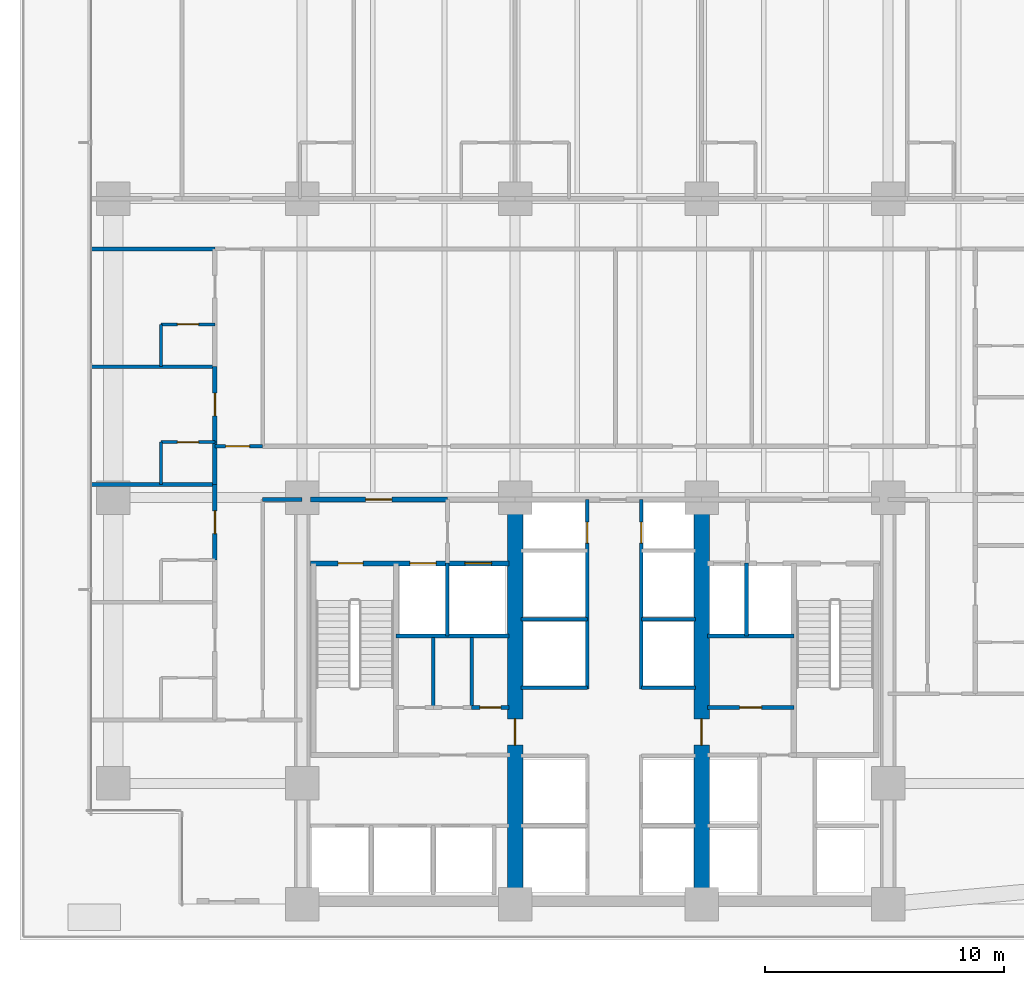
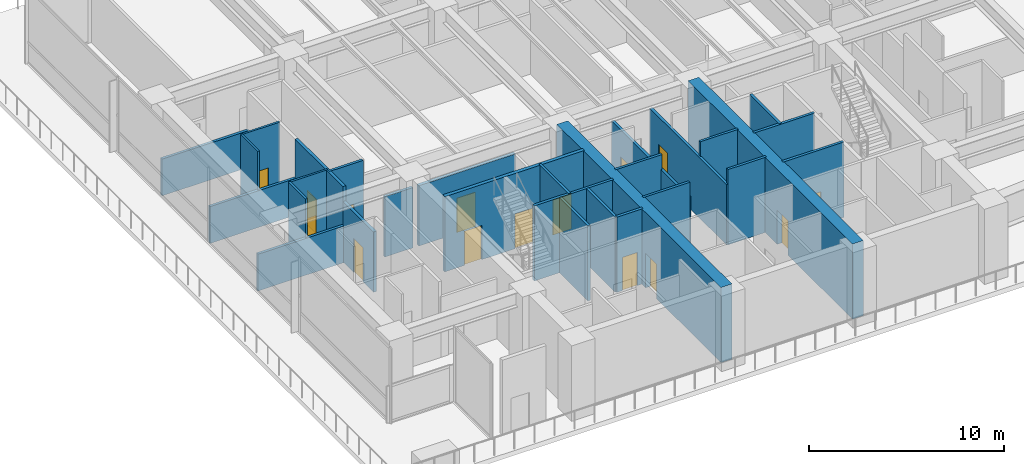
# One storey, part 8 of 19: 30 walls, 15 doors, 15 openings.
"""IFC4 building model written with IfcOpenShell, lengths in metres."""

from ifc_helpers import new_model, si_unit, direction, frame, frame_2d, origin, place, context, subcontext, project, spatial, rectangle, extrude, material, layer, layer_set, type_object, element, fill, save


model = new_model("IFC4")

# Units and contexts
model_context = context("Model", 3, precision=1e-05, world=origin(), true_north=direction((0.0, 1.0)))
body_context = subcontext(model_context, "Body", "Model", "MODEL_VIEW")
ifc_project = project(units=[si_unit("LENGTHUNIT", "METRE"), si_unit("AREAUNIT", "SQUARE_METRE"), si_unit("VOLUMEUNIT", "CUBIC_METRE"), si_unit("PLANEANGLEUNIT", "RADIAN"), si_unit("MASSUNIT", "GRAM", prefix="KILO")], contexts=[model_context])

# Site, building, storey
site_placement = place(None, origin())
site = spatial("IfcSite", under=ifc_project, at=site_placement, CompositionType="ELEMENT")
building_placement = place(site_placement, origin())
building = spatial("IfcBuilding", under=site, at=building_placement, Name="Qalmaran Belvedere Hotel", CompositionType="ELEMENT")
storey_placement = place(building_placement, frame((0.0, 0.0, 28.39990234375)))
storey = spatial("IfcBuildingStorey", under=building, at=storey_placement, Name="L06", CompositionType="ELEMENT", Elevation=28.39990234375)

# Wall, opening, door
ifc_material_1 = material(Name="Concrete C60/75", Category="concrete")
ifc_layer_1 = layer(ifc_material_1, 0.64990234375, Name="Concrete C60/75")
ifc_layer_set_1 = layer_set([ifc_layer_1], Name="Concrete C60/75")
wall_type_1 = type_object("IfcWallType", Name="WL-CORE-650-C60", PredefinedType="SHEAR", material=ifc_layer_set_1)
wall_1_placement = place(storey_placement, frame((29.199951171875, 3.5, 0.0), z_axis=(0.0, 0.0, 1.0), x_axis=(0.0, 1.0, 0.0)))
wall_1 = element("IfcWall", 1, at=wall_1_placement, inside=storey, type_object=wall_type_1, Name="L06 Core West Spine Shear Wall", PredefinedType="SHEAR", context=body_context, shape_type="SweptSolid", body=[
    extrude(rectangle(XDim=16.89990234375, YDim=0.64990234375, at=frame_2d((8.449951171875, 0.0))), origin(), (0.0, 0.0, 1.0), 4.72021484375),
])
opening_1_placement = place(wall_1_placement, frame((7.75, 0.0, 0.0), z_axis=(0.0, 0.0, 1.0), x_axis=(-1.0, 0.0, 0.0)))
opening_1 = element("IfcOpeningElement", 2, at=opening_1_placement, cuts=wall_1, Name="Opening FD90", PredefinedType="OPENING", context=body_context, shape_type="SweptSolid", body=[
    extrude(rectangle(XDim=1.10009765625, YDim=2.14990234375, at=frame_2d((0.550048828125, 1.074951171875))), frame((0.0, 0.3349609375, 0.0), z_axis=(0.0, -1.0, 0.0), x_axis=(1.0, 0.0, 0.0)), (0.0, 0.0, 1.0), 0.669921875),
])
ifc_material_2 = material(Name="Steel S355JR", Category="steel")
door_type_1 = type_object("IfcDoorType", Name="DR-FD90-1100X2150", OperationType="NOTDEFINED", PredefinedType="DOOR", material=ifc_material_2)
door_1_placement = place(opening_1_placement, origin())
door_1 = element("IfcDoor", 3, at=door_1_placement, inside=storey, type_object=door_type_1, Name="L06 Core West Cross-Lobby Door", OperationType="SINGLE_SWING_LEFT", OverallHeight=2.14990234375, OverallWidth=1.10009765625, PredefinedType="DOOR", context=body_context, shape_type="SweptSolid", body=[
    extrude(rectangle(XDim=1.10009765625, YDim=2.14990234375, at=frame_2d((0.550048828125, 1.074951171875))), frame((0.0, 0.02490234375, 0.0), z_axis=(0.0, -1.0, 0.0), x_axis=(1.0, 0.0, 0.0)), (0.0, 0.0, 1.0), 0.050048828125),
])
fill(opening_1, door_1)

wall_2_placement = place(storey_placement, frame((37.0, 3.5, 0.0), z_axis=(0.0, 0.0, 1.0), x_axis=(0.0, 1.0, 0.0)))
wall_2 = element("IfcWall", 4, at=wall_2_placement, inside=storey, type_object=wall_type_1, Name="L06 Core East Spine Shear Wall", PredefinedType="SHEAR", context=body_context, shape_type="SweptSolid", body=[
    extrude(rectangle(XDim=16.89990234375, YDim=0.64990234375, at=frame_2d((8.449951171875, 0.0))), origin(), (0.0, 0.0, 1.0), 4.72021484375),
])
opening_2_placement = place(wall_2_placement, frame((6.64990234375, 0.0, 0.0)))
opening_2 = element("IfcOpeningElement", 5, at=opening_2_placement, cuts=wall_2, Name="Opening FD90", PredefinedType="OPENING", context=body_context, shape_type="SweptSolid", body=[
    extrude(rectangle(XDim=1.10009765625, YDim=2.14990234375, at=frame_2d((0.550048828125, 1.074951171875))), frame((0.0, 0.3349609375, 0.0), z_axis=(0.0, -1.0, 0.0), x_axis=(1.0, 0.0, 0.0)), (0.0, 0.0, 1.0), 0.669921875),
])
door_2_placement = place(opening_2_placement, origin())
door_2 = element("IfcDoor", 6, at=door_2_placement, inside=storey, type_object=door_type_1, Name="L06 Core East Cross-Lobby Door", OperationType="SINGLE_SWING_RIGHT", OverallHeight=2.14990234375, OverallWidth=1.10009765625, PredefinedType="DOOR", context=body_context, shape_type="SweptSolid", body=[
    extrude(rectangle(XDim=1.10009765625, YDim=2.14990234375, at=frame_2d((0.550048828125, 1.074951171875))), frame((0.0, 0.02490234375, 0.0), z_axis=(0.0, -1.0, 0.0), x_axis=(1.0, 0.0, 0.0)), (0.0, 0.0, 1.0), 0.050048828125),
])
fill(opening_2, door_2)

ifc_material_3 = material(Name="Moisture-Resistant Gypsum")
ifc_layer_2 = layer(ifc_material_3, 0.1201171875, Name="Moisture-Resistant Gypsum")
ifc_layer_set_2 = layer_set([ifc_layer_2], Name="Moisture-Resistant Gypsum")
wall_type_2 = type_object("IfcWallType", Name="WL-INT-120-BATH", PredefinedType="PARTITIONING", material=ifc_layer_set_2)
wall_3_placement = place(storey_placement, frame((14.39990234375, 22.820068359375, 0.0), z_axis=(0.0, 0.0, 1.0), x_axis=(1.0, 0.0, 0.0)))
wall_3 = element("IfcWall", 7, at=wall_3_placement, inside=storey, type_object=wall_type_2, Name="L06 Partition WL-L06-WBN02", PredefinedType="PARTITIONING", context=body_context, shape_type="SweptSolid", body=[
    extrude(rectangle(XDim=2.25, YDim=0.1201171875, at=frame_2d((1.125, 0.0))), origin(), (0.0, 0.0, 1.0), 4.72021484375),
])
opening_3_placement = place(wall_3_placement, frame((1.56494140625, 0.0, 0.0), z_axis=(0.0, 0.0, 1.0), x_axis=(-1.0, 0.0, 0.0)))
opening_3 = element("IfcOpeningElement", 8, at=opening_3_placement, cuts=wall_3, Name="Opening D-BATH", PredefinedType="OPENING", context=body_context, shape_type="SweptSolid", body=[
    extrude(rectangle(XDim=0.8798828125, YDim=2.080078125, at=frame_2d((0.43994140625, 1.0400390625))), frame((0.0, 0.070068359375, 0.0), z_axis=(0.0, -1.0, 0.0), x_axis=(1.0, 0.0, 0.0)), (0.0, 0.0, 1.0), 0.14013671875),
])
ifc_material_4 = material(Name="Engineered Oak Veneer")
door_type_2 = type_object("IfcDoorType", Name="DR-INT-BATH-880X2080", OperationType="NOTDEFINED", PredefinedType="DOOR", material=ifc_material_4)
door_3_placement = place(opening_3_placement, origin())
door_3 = element("IfcDoor", 9, at=door_3_placement, inside=storey, type_object=door_type_2, Name="L06 W Ensuite Door 03", OperationType="SINGLE_SWING_LEFT", OverallHeight=2.080078125, OverallWidth=0.8798828125, PredefinedType="DOOR", context=body_context, shape_type="SweptSolid", body=[
    extrude(rectangle(XDim=0.8798828125, YDim=2.080078125, at=frame_2d((0.43994140625, 1.0400390625))), frame((0.0, 0.02490234375, 0.0), z_axis=(0.0, -1.0, 0.0), x_axis=(1.0, 0.0, 0.0)), (0.0, 0.0, 1.0), 0.050048828125),
])
fill(opening_3, door_3)

# Wall
wall_4_placement = place(storey_placement, frame((14.39990234375, 21.050048828125, 0.0), z_axis=(0.0, 0.0, 1.0), x_axis=(0.0, 1.0, 0.0)))
element("IfcWall", 10, at=wall_4_placement, inside=storey, type_object=wall_type_2, Name="L06 Partition WL-L06-WBS02", PredefinedType="PARTITIONING", context=body_context, shape_type="SweptSolid", body=[
    extrude(rectangle(XDim=1.77001953125, YDim=0.1201171875, at=frame_2d((0.885009765625, 0.0))), origin(), (0.0, 0.0, 1.0), 4.72021484375),
])

# Wall, opening, door
wall_5_placement = place(storey_placement, frame((14.39990234375, 27.7451171875, 0.0), z_axis=(0.0, 0.0, 1.0), x_axis=(1.0, 0.0, 0.0)))
wall_5 = element("IfcWall", 11, at=wall_5_placement, inside=storey, type_object=wall_type_2, Name="L06 Partition WL-L06-WBN03", PredefinedType="PARTITIONING", context=body_context, shape_type="SweptSolid", body=[
    extrude(rectangle(XDim=2.25, YDim=0.1201171875, at=frame_2d((1.125, 0.0))), origin(), (0.0, 0.0, 1.0), 4.72021484375),
])
opening_4_placement = place(wall_5_placement, frame((1.56494140625, 0.0, 0.0), z_axis=(0.0, 0.0, 1.0), x_axis=(-1.0, 0.0, 0.0)))
opening_4 = element("IfcOpeningElement", 12, at=opening_4_placement, cuts=wall_5, Name="Opening D-BATH", PredefinedType="OPENING", context=body_context, shape_type="SweptSolid", body=[
    extrude(rectangle(XDim=0.8798828125, YDim=2.080078125, at=frame_2d((0.43994140625, 1.0400390625))), frame((0.0, 0.070068359375, 0.0), z_axis=(0.0, -1.0, 0.0), x_axis=(1.0, 0.0, 0.0)), (0.0, 0.0, 1.0), 0.14013671875),
])
door_4_placement = place(opening_4_placement, origin())
door_4 = element("IfcDoor", 13, at=door_4_placement, inside=storey, type_object=door_type_2, Name="L06 W Ensuite Door 04", OperationType="SINGLE_SWING_LEFT", OverallHeight=2.080078125, OverallWidth=0.8798828125, PredefinedType="DOOR", context=body_context, shape_type="SweptSolid", body=[
    extrude(rectangle(XDim=0.8798828125, YDim=2.080078125, at=frame_2d((0.43994140625, 1.0400390625))), frame((0.0, 0.02490234375, 0.0), z_axis=(0.0, -1.0, 0.0), x_axis=(1.0, 0.0, 0.0)), (0.0, 0.0, 1.0), 0.050048828125),
])
fill(opening_4, door_4)

# Walls
wall_6_placement = place(storey_placement, frame((14.39990234375, 25.97509765625, 0.0), z_axis=(0.0, 0.0, 1.0), x_axis=(0.0, 1.0, 0.0)))
element("IfcWall", 14, at=wall_6_placement, inside=storey, type_object=wall_type_2, Name="L06 Partition WL-L06-WBS03", PredefinedType="PARTITIONING", context=body_context, shape_type="SweptSolid", body=[
    extrude(rectangle(XDim=1.77001953125, YDim=0.1201171875, at=frame_2d((0.885009765625, 0.0))), origin(), (0.0, 0.0, 1.0), 4.72021484375),
])
ifc_material_5 = material(Name="Gypsum Stud Partition")
ifc_layer_3 = layer(ifc_material_5, 0.14990234375, Name="Gypsum Stud Partition")
ifc_layer_set_3 = layer_set([ifc_layer_3], Name="Gypsum Stud Partition")
wall_type_3 = type_object("IfcWallType", Name="WL-INT-150-EI120", PredefinedType="PARTITIONING", material=ifc_layer_set_3)
for number, where, z_axis, x_axis, name in (
    (15, (26.360107421875, 14.719970703125, 0.0), (0.0, 0.0, 1.0), (0.0, 1.0, 0.0), "L06 Partition WL-FF1M-L06"),
    (16, (38.8798828125, 14.719970703125, 0.0), (0.0, 0.0, 1.0), (0.0, 1.0, 0.0), "L06 Partition WL-FF2M-L06"),
):
    element("IfcWall", number, at=place(storey_placement, frame(where, z_axis=z_axis, x_axis=x_axis)), inside=storey, type_object=wall_type_3, Name=name, PredefinedType="PARTITIONING", context=body_context, shape_type="SweptSolid", body=[
        extrude(rectangle(XDim=3.0400390625, YDim=0.14990234375, at=frame_2d((1.52001953125, 0.0))), origin(), (0.0, 0.0, 1.0), 4.72021484375),
    ])
wall_7_placement = place(storey_placement, frame((29.449951171875, 12.550048828125, 0.0), z_axis=(0.0, 0.0, 1.0), x_axis=(1.0, 0.0, 0.0)))
element("IfcWall", 17, at=wall_7_placement, inside=storey, type_object=wall_type_3, Name="L06 Partition WL-PMW-L06-125", PredefinedType="PARTITIONING", context=body_context, shape_type="SweptSolid", body=[
    extrude(rectangle(XDim=2.77001953125, YDim=0.14990234375, at=frame_2d((1.385009765625, 0.0))), origin(), (0.0, 0.0, 1.0), 4.72021484375),
])
wall_8_placement = place(storey_placement, frame((34.47998046875, 12.550048828125, 0.0), z_axis=(0.0, 0.0, 1.0), x_axis=(1.0, 0.0, 0.0)))
element("IfcWall", 18, at=wall_8_placement, inside=storey, type_object=wall_type_3, Name="L06 Partition WL-PME-L06-125", PredefinedType="PARTITIONING", context=body_context, shape_type="SweptSolid", body=[
    extrude(rectangle(XDim=2.27001953125, YDim=0.14990234375, at=frame_2d((1.135009765625, 0.0))), origin(), (0.0, 0.0, 1.0), 4.72021484375),
])
wall_9_placement = place(storey_placement, frame((29.449951171875, 15.419921875, 0.0), z_axis=(0.0, 0.0, 1.0), x_axis=(1.0, 0.0, 0.0)))
element("IfcWall", 19, at=wall_9_placement, inside=storey, type_object=wall_type_3, Name="L06 Partition WL-PMW-L06-154", PredefinedType="PARTITIONING", context=body_context, shape_type="SweptSolid", body=[
    extrude(rectangle(XDim=2.77001953125, YDim=0.14990234375, at=frame_2d((1.385009765625, 0.0))), origin(), (0.0, 0.0, 1.0), 4.72021484375),
])
wall_10_placement = place(storey_placement, frame((34.47998046875, 15.419921875, 0.0), z_axis=(0.0, 0.0, 1.0), x_axis=(1.0, 0.0, 0.0)))
element("IfcWall", 20, at=wall_10_placement, inside=storey, type_object=wall_type_3, Name="L06 Partition WL-PME-L06-154", PredefinedType="PARTITIONING", context=body_context, shape_type="SweptSolid", body=[
    extrude(rectangle(XDim=2.27001953125, YDim=0.14990234375, at=frame_2d((1.135009765625, 0.0))), origin(), (0.0, 0.0, 1.0), 4.72021484375),
])
ifc_layer_4 = layer(ifc_material_5, 0.14990234375, Name="Gypsum Stud Partition")
ifc_layer_set_4 = layer_set([ifc_layer_4], Name="Gypsum Stud Partition")
wall_type_4 = type_object("IfcWallType", Name="WL-INT-150-EI60", PredefinedType="PARTITIONING", material=ifc_layer_set_4)
for number, where, z_axis, x_axis, name in (
    (21, (25.781005859375, 11.719970703125, 0.0), (0.0, 0.0, 1.0), (0.0, 1.0, 0.0), "L06 Partition WL-L06-KWV1"),
    (22, (27.38916015625, 11.719970703125, 0.0), (0.0, 0.0, 1.0), (0.0, 1.0, 0.0), "L06 Partition WL-L06-KWV2"),
):
    element("IfcWall", number, at=place(storey_placement, frame(where, z_axis=z_axis, x_axis=x_axis)), inside=storey, type_object=wall_type_4, Name=name, PredefinedType="PARTITIONING", context=body_context, shape_type="SweptSolid", body=[
        extrude(rectangle(XDim=2.929931640625, YDim=0.14990234375, at=frame_2d((1.46484375, 0.0))), origin(), (0.0, 0.0, 1.0), 4.72021484375),
    ])

# Wall, opening, door
wall_11_placement = place(storey_placement, frame((16.64990234375, 22.64990234375, 0.0), z_axis=(0.0, 0.0, 1.0), x_axis=(1.0, 0.0, 0.0)))
wall_11 = element("IfcWall", 23, at=wall_11_placement, inside=storey, type_object=wall_type_4, Name="L06 Partition WL-L06-XCW1", PredefinedType="PARTITIONING", context=body_context, shape_type="SweptSolid", body=[
    extrude(rectangle(XDim=2.0, YDim=0.14990234375, at=frame_2d((1.0, 0.0))), origin(), (0.0, 0.0, 1.0), 4.72021484375),
])
opening_5_placement = place(wall_11_placement, frame((0.449951171875, 0.0, 0.0)))
opening_5 = element("IfcOpeningElement", 24, at=opening_5_placement, cuts=wall_11, Name="Opening FD90B", PredefinedType="OPENING", context=body_context, shape_type="SweptSolid", body=[
    extrude(rectangle(XDim=1.0, YDim=2.14990234375, at=frame_2d((0.5, 1.074951171875))), frame((0.0, 0.0849609375, 0.0), z_axis=(0.0, -1.0, 0.0), x_axis=(1.0, 0.0, 0.0)), (0.0, 0.0, 1.0), 0.169921875),
])
door_type_3 = type_object("IfcDoorType", Name="DR-FD90B-1000X2150", OperationType="NOTDEFINED", PredefinedType="DOOR", material=ifc_material_2)
door_5_placement = place(opening_5_placement, origin())
door_5 = element("IfcDoor", 25, at=door_5_placement, inside=storey, type_object=door_type_3, Name="L06 West Corridor Smoke Door S", OperationType="SINGLE_SWING_RIGHT", OverallHeight=2.14990234375, OverallWidth=1.0, PredefinedType="DOOR", context=body_context, shape_type="SweptSolid", body=[
    extrude(rectangle(XDim=1.0, YDim=2.14990234375, at=frame_2d((0.5, 1.074951171875))), frame((0.0, 0.02490234375, 0.0), z_axis=(0.0, -1.0, 0.0), x_axis=(1.0, 0.0, 0.0)), (0.0, 0.0, 1.0), 0.050048828125),
])
fill(opening_5, door_5)

# Walls
ifc_layer_5 = layer(ifc_material_5, 0.159912109375, Name="Gypsum Stud Partition")
ifc_layer_set_5 = layer_set([ifc_layer_5], Name="Gypsum Stud Partition")
wall_type_5 = type_object("IfcWallType", Name="WL-INT-160-EI120", PredefinedType="PARTITIONING", material=ifc_layer_set_5)
wall_12_placement = place(storey_placement, frame((24.219970703125, 14.719970703125, 0.0), z_axis=(0.0, 0.0, 1.0), x_axis=(1.0, 0.0, 0.0)))
element("IfcWall", 26, at=wall_12_placement, inside=storey, type_object=wall_type_5, Name="L06 Partition WL-FF1S-L06", PredefinedType="PARTITIONING", context=body_context, shape_type="SweptSolid", body=[
    extrude(rectangle(XDim=4.72998046875, YDim=0.159912109375, at=frame_2d((2.364990234375, 0.0))), origin(), (0.0, 0.0, 1.0), 4.72021484375),
])
wall_13_placement = place(storey_placement, frame((37.25, 14.719970703125, 0.0), z_axis=(0.0, 0.0, 1.0), x_axis=(1.0, 0.0, 0.0)))
element("IfcWall", 27, at=wall_13_placement, inside=storey, type_object=wall_type_5, Name="L06 Partition WL-FF2S-L06", PredefinedType="PARTITIONING", context=body_context, shape_type="SweptSolid", body=[
    extrude(rectangle(XDim=3.610107421875, YDim=0.159912109375, at=frame_2d((1.80517578125, 0.0))), origin(), (0.0, 0.0, 1.0), 4.72021484375),
])

# Wall, opening, door
wall_14_placement = place(storey_placement, frame((32.219970703125, 12.5, 0.0), z_axis=(0.0, 0.0, 1.0), x_axis=(0.0, 1.0, 0.0)))
wall_14 = element("IfcWall", 28, at=wall_14_placement, inside=storey, type_object=wall_type_5, Name="L06 Partition WL-CLBWN-L06", PredefinedType="PARTITIONING", context=body_context, shape_type="SweptSolid", body=[
    extrude(rectangle(XDim=7.919921875, YDim=0.159912109375, at=frame_2d((3.9599609375, 0.0))), origin(), (0.0, 0.0, 1.0), 3.7841796875),
])
opening_6_placement = place(wall_14_placement, frame((6.10009765625, 0.0, 0.0)))
opening_6 = element("IfcOpeningElement", 29, at=opening_6_placement, cuts=wall_14, Name="Opening FD60B", PredefinedType="OPENING", context=body_context, shape_type="SweptSolid", body=[
    extrude(rectangle(XDim=0.8798828125, YDim=2.080078125, at=frame_2d((0.43994140625, 1.0400390625))), frame((0.0, 0.08984375, 0.0), z_axis=(0.0, -1.0, 0.0), x_axis=(1.0, 0.0, 0.0)), (0.0, 0.0, 1.0), 0.179931640625),
])
door_type_4 = type_object("IfcDoorType", Name="DR-FD60B-880X2080", OperationType="NOTDEFINED", PredefinedType="DOOR", material=ifc_material_2)
door_6_placement = place(opening_6_placement, origin())
door_6 = element("IfcDoor", 30, at=door_6_placement, inside=storey, type_object=door_type_4, Name="L06 West Riser Access Door", OperationType="SINGLE_SWING_RIGHT", OverallHeight=2.080078125, OverallWidth=0.8798828125, PredefinedType="DOOR", context=body_context, shape_type="SweptSolid", body=[
    extrude(rectangle(XDim=0.8798828125, YDim=2.080078125, at=frame_2d((0.43994140625, 1.0400390625))), frame((0.0, 0.02490234375, 0.0), z_axis=(0.0, -1.0, 0.0), x_axis=(1.0, 0.0, 0.0)), (0.0, 0.0, 1.0), 0.050048828125),
])
fill(opening_6, door_6)

wall_15_placement = place(storey_placement, frame((34.47998046875, 12.5, 0.0), z_axis=(0.0, 0.0, 1.0), x_axis=(0.0, 1.0, 0.0)))
wall_15 = element("IfcWall", 31, at=wall_15_placement, inside=storey, type_object=wall_type_5, Name="L06 Partition WL-CLBEN-L06", PredefinedType="PARTITIONING", context=body_context, shape_type="SweptSolid", body=[
    extrude(rectangle(XDim=7.919921875, YDim=0.159912109375, at=frame_2d((3.9599609375, 0.0))), origin(), (0.0, 0.0, 1.0), 3.7841796875),
])
opening_7_placement = place(wall_15_placement, frame((6.97998046875, 0.0, 0.0), z_axis=(0.0, 0.0, 1.0), x_axis=(-1.0, 0.0, 0.0)))
opening_7 = element("IfcOpeningElement", 32, at=opening_7_placement, cuts=wall_15, Name="Opening FD60B", PredefinedType="OPENING", context=body_context, shape_type="SweptSolid", body=[
    extrude(rectangle(XDim=0.8798828125, YDim=2.080078125, at=frame_2d((0.43994140625, 1.0400390625))), frame((0.0, 0.08984375, 0.0), z_axis=(0.0, -1.0, 0.0), x_axis=(1.0, 0.0, 0.0)), (0.0, 0.0, 1.0), 0.179931640625),
])
door_7_placement = place(opening_7_placement, origin())
door_7 = element("IfcDoor", 33, at=door_7_placement, inside=storey, type_object=door_type_4, Name="L06 East Riser Access Door", OperationType="SINGLE_SWING_LEFT", OverallHeight=2.080078125, OverallWidth=0.8798828125, PredefinedType="DOOR", context=body_context, shape_type="SweptSolid", body=[
    extrude(rectangle(XDim=0.8798828125, YDim=2.080078125, at=frame_2d((0.43994140625, 1.0400390625))), frame((0.0, 0.02490234375, 0.0), z_axis=(0.0, -1.0, 0.0), x_axis=(1.0, 0.0, 0.0)), (0.0, 0.0, 1.0), 0.050048828125),
])
fill(opening_7, door_7)

ifc_layer_6 = layer(ifc_material_5, 0.159912109375, Name="Gypsum Stud Partition")
ifc_layer_set_6 = layer_set([ifc_layer_6], Name="Gypsum Stud Partition")
wall_type_6 = type_object("IfcWallType", Name="WL-INT-160-EI60", PredefinedType="PARTITIONING", material=ifc_layer_set_6)
wall_16_placement = place(storey_placement, frame((27.38916015625, 11.719970703125, 0.0), z_axis=(0.0, 0.0, 1.0), x_axis=(1.0, 0.0, 0.0)))
wall_16 = element("IfcWall", 34, at=wall_16_placement, inside=storey, type_object=wall_type_6, Name="L06 Partition WL-L06-KWE3", PredefinedType="PARTITIONING", context=body_context, shape_type="SweptSolid", body=[
    extrude(rectangle(XDim=1.560791015625, YDim=0.159912109375, at=frame_2d((0.7802734375, 0.0))), origin(), (0.0, 0.0, 1.0), 4.72021484375),
])
opening_8_placement = place(wall_16_placement, frame((0.340576171875, 0.0, 0.0)))
opening_8 = element("IfcOpeningElement", 35, at=opening_8_placement, cuts=wall_16, Name="Opening FD60B", PredefinedType="OPENING", context=body_context, shape_type="SweptSolid", body=[
    extrude(rectangle(XDim=0.8798828125, YDim=2.080078125, at=frame_2d((0.43994140625, 1.0400390625))), frame((0.0, 0.08984375, 0.0), z_axis=(0.0, -1.0, 0.0), x_axis=(1.0, 0.0, 0.0)), (0.0, 0.0, 1.0), 0.179931640625),
])
door_8_placement = place(opening_8_placement, origin())
door_8 = element("IfcDoor", 36, at=door_8_placement, inside=storey, type_object=door_type_4, Name="L06 Telecom and IT Room Door", OperationType="SINGLE_SWING_RIGHT", OverallHeight=2.080078125, OverallWidth=0.8798828125, PredefinedType="DOOR", context=body_context, shape_type="SweptSolid", body=[
    extrude(rectangle(XDim=0.8798828125, YDim=2.080078125, at=frame_2d((0.43994140625, 1.0400390625))), frame((0.0, 0.02490234375, 0.0), z_axis=(0.0, -1.0, 0.0), x_axis=(1.0, 0.0, 0.0)), (0.0, 0.0, 1.0), 0.050048828125),
])
fill(opening_8, door_8)

wall_17_placement = place(storey_placement, frame((37.25, 11.719970703125, 0.0), z_axis=(0.0, 0.0, 1.0), x_axis=(1.0, 0.0, 0.0)))
wall_17 = element("IfcWall", 37, at=wall_17_placement, inside=storey, type_object=wall_type_6, Name="L06 Partition WL-L06-KEE1", PredefinedType="PARTITIONING", context=body_context, shape_type="SweptSolid", body=[
    extrude(rectangle(XDim=3.610107421875, YDim=0.159912109375, at=frame_2d((1.80517578125, 0.0))), origin(), (0.0, 0.0, 1.0), 4.72021484375),
])
opening_9_placement = place(wall_17_placement, frame((1.344970703125, 0.0, 0.0)))
opening_9 = element("IfcOpeningElement", 38, at=opening_9_placement, cuts=wall_17, Name="Opening FD60S1", PredefinedType="OPENING", context=body_context, shape_type="SweptSolid", body=[
    extrude(rectangle(XDim=0.919921875, YDim=2.080078125, at=frame_2d((0.4599609375, 1.0400390625))), frame((0.0, 0.08984375, 0.0), z_axis=(0.0, -1.0, 0.0), x_axis=(1.0, 0.0, 0.0)), (0.0, 0.0, 1.0), 0.179931640625),
])
door_type_5 = type_object("IfcDoorType", Name="DR-FD60S-920X2080", OperationType="NOTDEFINED", PredefinedType="DOOR", material=ifc_material_4)
door_9_placement = place(opening_9_placement, origin())
door_9 = element("IfcDoor", 39, at=door_9_placement, inside=storey, type_object=door_type_5, Name="L06 Guest Ice and Beverage Pantry Door", OperationType="SINGLE_SWING_LEFT", OverallHeight=2.080078125, OverallWidth=0.919921875, PredefinedType="DOOR", context=body_context, shape_type="SweptSolid", body=[
    extrude(rectangle(XDim=0.919921875, YDim=2.080078125, at=frame_2d((0.4599609375, 1.0400390625))), frame((0.0, 0.02490234375, 0.0), z_axis=(0.0, -1.0, 0.0), x_axis=(1.0, 0.0, 0.0)), (0.0, 0.0, 1.0), 0.050048828125),
])
fill(opening_9, door_9)

# Walls
wall_18_placement = place(storey_placement, frame((18.64990234375, 20.419921875, 0.0), z_axis=(0.0, 0.0, 1.0), x_axis=(1.0, 0.0, 0.0)))
element("IfcWall", 40, at=wall_18_placement, inside=storey, type_object=wall_type_6, Name="L06 Partition WL-L06-WCLN", PredefinedType="PARTITIONING", context=body_context, shape_type="SweptSolid", body=[
    extrude(rectangle(XDim=1.650146484375, YDim=0.159912109375, at=frame_2d((0.8251953125, 0.0))), origin(), (0.0, 0.0, 1.0), 3.7841796875),
])
for number, where, z_axis, x_axis, name in (
    (41, (11.469970703125, 21.050048828125, 0.0), (0.0, 0.0, 1.0), (1.0, 0.0, 0.0), "L06 Partition WL-L06-WU01"),
    (42, (11.469970703125, 25.97509765625, 0.0), (0.0, 0.0, 1.0), (1.0, 0.0, 0.0), "L06 Partition WL-L06-WU02"),
    (43, (11.469970703125, 30.89990234375, 0.0), (0.0, 0.0, 1.0), (1.0, 0.0, 0.0), "L06 Partition WL-L06-WU03"),
):
    element("IfcWall", number, at=place(storey_placement, frame(where, z_axis=z_axis, x_axis=x_axis)), inside=storey, type_object=wall_type_6, Name=name, PredefinedType="PARTITIONING", context=body_context, shape_type="SweptSolid", body=[
        extrude(rectangle(XDim=5.179931640625, YDim=0.159912109375, at=frame_2d((2.58984375, 0.0))), origin(), (0.0, 0.0, 1.0), 2.30517578125),
    ])

# Wall, opening, door
ifc_layer_7 = layer(ifc_material_5, 0.179931640625, Name="Gypsum Stud Partition")
ifc_layer_set_7 = layer_set([ifc_layer_7], Name="Gypsum Stud Partition")
wall_type_7 = type_object("IfcWallType", Name="WL-INT-180-EI60", PredefinedType="PARTITIONING", material=ifc_layer_set_7)
wall_19_placement = place(storey_placement, frame((16.64990234375, 17.89501953125, 0.0), z_axis=(0.0, 0.0, 1.0), x_axis=(0.0, 1.0, 0.0)))
wall_19 = element("IfcWall", 44, at=wall_19_placement, inside=storey, type_object=wall_type_7, Name="L06 Partition WL-L06-WEC01", PredefinedType="PARTITIONING", context=body_context, shape_type="SweptSolid", body=[
    extrude(rectangle(XDim=3.155029296875, YDim=0.179931640625, at=frame_2d((1.57763671875, 0.0))), origin(), (0.0, 0.0, 1.0), 3.7841796875),
])
opening_10_placement = place(wall_19_placement, frame((1.1025390625, 0.0, 0.0)))
opening_10 = element("IfcOpeningElement", 45, at=opening_10_placement, cuts=wall_19, Name="Opening FD60", PredefinedType="OPENING", context=body_context, shape_type="SweptSolid", body=[
    extrude(rectangle(XDim=0.949951171875, YDim=2.14990234375, at=frame_2d((0.47509765625, 1.074951171875))), frame((0.0, 0.10009765625, 0.0), z_axis=(0.0, -1.0, 0.0), x_axis=(1.0, 0.0, 0.0)), (0.0, 0.0, 1.0), 0.199951171875),
])
door_type_6 = type_object("IfcDoorType", Name="DR-FD60-950X2150", OperationType="NOTDEFINED", PredefinedType="DOOR", material=ifc_material_4)
door_10_placement = place(opening_10_placement, origin())
door_10 = element("IfcDoor", 46, at=door_10_placement, inside=storey, type_object=door_type_6, Name="L06 W Wing Door 02", OperationType="SINGLE_SWING_RIGHT", OverallHeight=2.14990234375, OverallWidth=0.949951171875, PredefinedType="DOOR", context=body_context, shape_type="SweptSolid", body=[
    extrude(rectangle(XDim=0.949951171875, YDim=2.14990234375, at=frame_2d((0.47509765625, 1.074951171875))), frame((0.0, 0.02490234375, 0.0), z_axis=(0.0, -1.0, 0.0), x_axis=(1.0, 0.0, 0.0)), (0.0, 0.0, 1.0), 0.050048828125),
])
fill(opening_10, door_10)

# Wall
wall_20_placement = place(storey_placement, frame((16.64990234375, 21.050048828125, 0.0), z_axis=(0.0, 0.0, 1.0), x_axis=(0.0, 1.0, 0.0)))
element("IfcWall", 47, at=wall_20_placement, inside=storey, type_object=wall_type_7, Name="L06 Partition WL-L06-WBC02", PredefinedType="PARTITIONING", context=body_context, shape_type="SweptSolid", body=[
    extrude(rectangle(XDim=1.77001953125, YDim=0.179931640625, at=frame_2d((0.885009765625, 0.0))), origin(), (0.0, 0.0, 1.0), 4.72021484375),
])

# Wall, opening, door
wall_21_placement = place(storey_placement, frame((16.64990234375, 22.820068359375, 0.0), z_axis=(0.0, 0.0, 1.0), x_axis=(0.0, 1.0, 0.0)))
wall_21 = element("IfcWall", 48, at=wall_21_placement, inside=storey, type_object=wall_type_7, Name="L06 Partition WL-L06-WEC02", PredefinedType="PARTITIONING", context=body_context, shape_type="SweptSolid", body=[
    extrude(rectangle(XDim=3.155029296875, YDim=0.179931640625, at=frame_2d((1.57763671875, 0.0))), origin(), (0.0, 0.0, 1.0), 4.72021484375),
])
opening_11_placement = place(wall_21_placement, frame((1.1025390625, 0.0, 0.0)))
opening_11 = element("IfcOpeningElement", 49, at=opening_11_placement, cuts=wall_21, Name="Opening FD60", PredefinedType="OPENING", context=body_context, shape_type="SweptSolid", body=[
    extrude(rectangle(XDim=0.949951171875, YDim=2.14990234375, at=frame_2d((0.47509765625, 1.074951171875))), frame((0.0, 0.10009765625, 0.0), z_axis=(0.0, -1.0, 0.0), x_axis=(1.0, 0.0, 0.0)), (0.0, 0.0, 1.0), 0.199951171875),
])
door_11_placement = place(opening_11_placement, origin())
door_11 = element("IfcDoor", 50, at=door_11_placement, inside=storey, type_object=door_type_6, Name="L06 W Wing Door 03", OperationType="SINGLE_SWING_RIGHT", OverallHeight=2.14990234375, OverallWidth=0.949951171875, PredefinedType="DOOR", context=body_context, shape_type="SweptSolid", body=[
    extrude(rectangle(XDim=0.949951171875, YDim=2.14990234375, at=frame_2d((0.47509765625, 1.074951171875))), frame((0.0, 0.02490234375, 0.0), z_axis=(0.0, -1.0, 0.0), x_axis=(1.0, 0.0, 0.0)), (0.0, 0.0, 1.0), 0.050048828125),
])
fill(opening_11, door_11)

ifc_material_6 = material(Name="Concrete C30/37 Blockwork", Category="masonry")
ifc_layer_8 = layer(ifc_material_6, 0.199951171875, Name="Concrete C30/37 Blockwork")
ifc_layer_set_8 = layer_set([ifc_layer_8], Name="Concrete C30/37 Blockwork")
wall_type_8 = type_object("IfcWallType", Name="WL-INT-200-EI120", PredefinedType="PARTITIONING", material=ifc_layer_set_8)
wall_22_placement = place(storey_placement, frame((20.64990234375, 20.419921875, 0.0), z_axis=(0.0, 0.0, 1.0), x_axis=(1.0, 0.0, 0.0)))
wall_22 = element("IfcWall", 51, at=wall_22_placement, inside=storey, type_object=wall_type_8, Name="L06 Partition WL-CN1A-L06", PredefinedType="PARTITIONING", context=body_context, shape_type="SweptSolid", body=[
    extrude(rectangle(XDim=5.72998046875, YDim=0.199951171875, at=frame_2d((2.864990234375, 0.0))), origin(), (0.0, 0.0, 1.0), 3.7841796875),
])
opening_12_placement = place(wall_22_placement, frame((2.300048828125, 0.0, 0.0)))
opening_12 = element("IfcOpeningElement", 52, at=opening_12_placement, cuts=wall_22, Name="Opening FD90", PredefinedType="OPENING", context=body_context, shape_type="SweptSolid", body=[
    extrude(rectangle(XDim=1.10009765625, YDim=2.14990234375, at=frame_2d((0.550048828125, 1.074951171875))), frame((0.0, 0.10986328125, 0.0), z_axis=(0.0, -1.0, 0.0), x_axis=(1.0, 0.0, 0.0)), (0.0, 0.0, 1.0), 0.219970703125),
])
door_12_placement = place(opening_12_placement, origin())
door_12 = element("IfcDoor", 53, at=door_12_placement, inside=storey, type_object=door_type_1, Name="L06 FF1 Lobby Corridor Door", OperationType="SINGLE_SWING_LEFT", OverallHeight=2.14990234375, OverallWidth=1.10009765625, PredefinedType="DOOR", context=body_context, shape_type="SweptSolid", body=[
    extrude(rectangle(XDim=1.10009765625, YDim=2.14990234375, at=frame_2d((0.550048828125, 1.074951171875))), frame((0.0, 0.02490234375, 0.0), z_axis=(0.0, -1.0, 0.0), x_axis=(1.0, 0.0, 0.0)), (0.0, 0.0, 1.0), 0.050048828125),
])
fill(opening_12, door_12)

# Wall, openings, doors
ifc_material_7 = material(Name="Concrete C50/60", Category="concrete")
ifc_layer_9 = layer(ifc_material_7, 0.2099609375, Name="Concrete C50/60")
ifc_layer_set_9 = layer_set([ifc_layer_9], Name="Concrete C50/60")
wall_type_9 = type_object("IfcWallType", Name="WL-STAIR-210-C50", PredefinedType="SHEAR", material=ifc_layer_set_9)
wall_23_placement = place(storey_placement, frame((20.64990234375, 17.7548828125, 0.0), z_axis=(0.0, 0.0, 1.0), x_axis=(1.0, 0.0, 0.0)))
wall_23 = element("IfcWall", 54, at=wall_23_placement, inside=storey, type_object=wall_type_9, Name="L06 West Lobby and Stair ST-1 North Bearing Wall", PredefinedType="SHEAR", context=body_context, shape_type="SweptSolid", body=[
    extrude(rectangle(XDim=8.300048828125, YDim=0.2099609375, at=frame_2d((4.14990234375, 0.0))), origin(), (0.0, 0.0, 1.0), 4.72021484375),
])
opening_13_placement = place(wall_23_placement, frame((2.199951171875, 0.0, 0.0), z_axis=(0.0, 0.0, 1.0), x_axis=(-1.0, 0.0, 0.0)))
opening_13 = element("IfcOpeningElement", 55, at=opening_13_placement, cuts=wall_23, Name="Opening FD90S2", PredefinedType="OPENING", context=body_context, shape_type="SweptSolid", body=[
    extrude(rectangle(XDim=1.050048828125, YDim=2.14990234375, at=frame_2d((0.52490234375, 1.074951171875))), frame((0.0, 0.114990234375, 0.0), z_axis=(0.0, -1.0, 0.0), x_axis=(1.0, 0.0, 0.0)), (0.0, 0.0, 1.0), 0.22998046875),
])
opening_14_placement = place(wall_23_placement, frame((4.14990234375, 0.0, 0.0)))
opening_14 = element("IfcOpeningElement", 56, at=opening_14_placement, cuts=wall_23, Name="Opening LD-FF", PredefinedType="OPENING", context=body_context, shape_type="SweptSolid", body=[
    extrude(rectangle(XDim=1.10009765625, YDim=2.179931640625, at=frame_2d((0.550048828125, 1.08984375))), frame((0.0, 0.114990234375, 0.0), z_axis=(0.0, -1.0, 0.0), x_axis=(1.0, 0.0, 0.0)), (0.0, 0.0, 1.0), 0.22998046875),
])
opening_15_placement = place(wall_23_placement, frame((6.449951171875, 0.0, 0.0)))
opening_15 = element("IfcOpeningElement", 57, at=opening_15_placement, cuts=wall_23, Name="Opening LD-SV", PredefinedType="OPENING", context=body_context, shape_type="SweptSolid", body=[
    extrude(rectangle(XDim=1.1201171875, YDim=2.199951171875, at=frame_2d((0.56005859375, 1.10009765625))), frame((0.0, 0.114990234375, 0.0), z_axis=(0.0, -1.0, 0.0), x_axis=(1.0, 0.0, 0.0)), (0.0, 0.0, 1.0), 0.22998046875),
])
door_type_7 = type_object("IfcDoorType", Name="DR-FD90S-1050X2150", OperationType="NOTDEFINED", PredefinedType="DOOR", material=ifc_material_2)
door_13_placement = place(opening_13_placement, origin())
door_13 = element("IfcDoor", 58, at=door_13_placement, inside=storey, type_object=door_type_7, Name="L06 Stair ST-1 Door", OperationType="SINGLE_SWING_LEFT", OverallHeight=2.14990234375, OverallWidth=1.050048828125, PredefinedType="DOOR", context=body_context, shape_type="SweptSolid", body=[
    extrude(rectangle(XDim=1.050048828125, YDim=2.14990234375, at=frame_2d((0.52490234375, 1.074951171875))), frame((0.0, 0.02490234375, 0.0), z_axis=(0.0, -1.0, 0.0), x_axis=(1.0, 0.0, 0.0)), (0.0, 0.0, 1.0), 0.050048828125),
])
fill(opening_13, door_13)
ifc_material_8 = material(Name="Stainless Steel 1.4401", Category="steel")
door_type_8 = type_object("IfcDoorType", Name="DR-LIFT-FF-1100X2180", OperationType="DOUBLE_DOOR_SLIDING", PredefinedType="DOOR", material=ifc_material_8)
door_14_placement = place(opening_14_placement, origin())
door_14 = element("IfcDoor", 59, at=door_14_placement, inside=storey, type_object=door_type_8, Name="L06 FF1 Lift Landing Door", OperationType="DOUBLE_DOOR_SLIDING", OverallHeight=2.179931640625, OverallWidth=1.10009765625, PredefinedType="DOOR", context=body_context, shape_type="SweptSolid", body=[
    extrude(rectangle(XDim=1.10009765625, YDim=2.179931640625, at=frame_2d((0.550048828125, 1.08984375))), frame((0.0, 0.02490234375, 0.0), z_axis=(0.0, -1.0, 0.0), x_axis=(1.0, 0.0, 0.0)), (0.0, 0.0, 1.0), 0.050048828125),
])
fill(opening_14, door_14)
door_type_9 = type_object("IfcDoorType", Name="DR-LIFT-SV-1120X2200", OperationType="DOUBLE_DOOR_SLIDING", PredefinedType="DOOR", material=ifc_material_8)
door_15_placement = place(opening_15_placement, origin())
door_15 = element("IfcDoor", 60, at=door_15_placement, inside=storey, type_object=door_type_9, Name="L06 SV1 Lift Landing Door", OperationType="DOUBLE_DOOR_SLIDING", OverallHeight=2.199951171875, OverallWidth=1.1201171875, PredefinedType="DOOR", context=body_context, shape_type="SweptSolid", body=[
    extrude(rectangle(XDim=1.1201171875, YDim=2.199951171875, at=frame_2d((0.56005859375, 1.10009765625))), frame((0.0, 0.02490234375, 0.0), z_axis=(0.0, -1.0, 0.0), x_axis=(1.0, 0.0, 0.0)), (0.0, 0.0, 1.0), 0.050048828125),
])
fill(opening_15, door_15)

save(model, "model.ifc")
